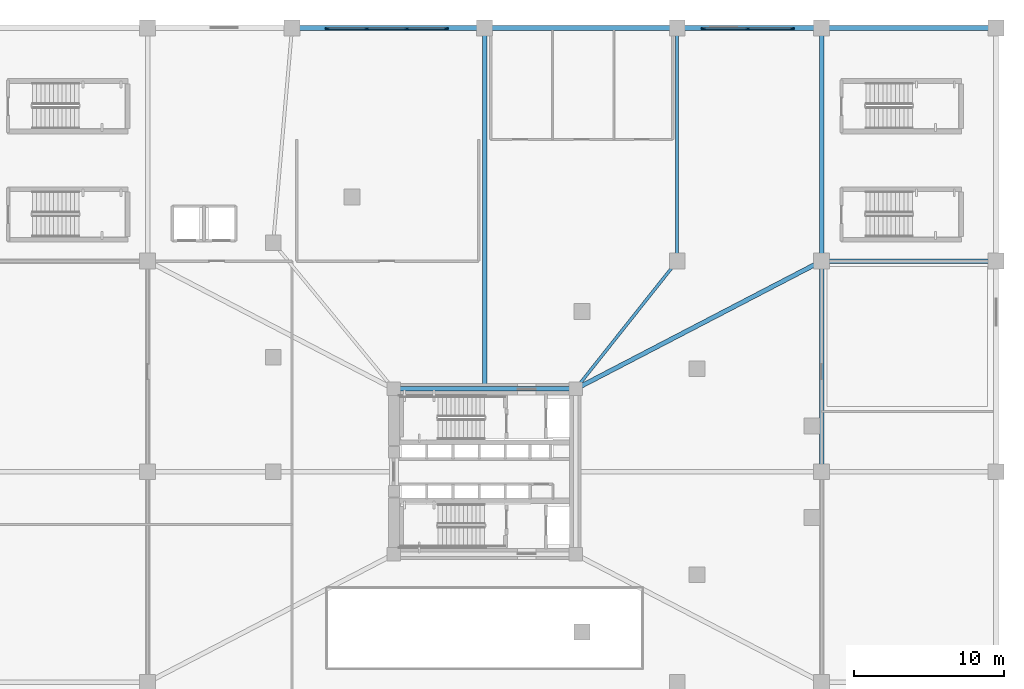
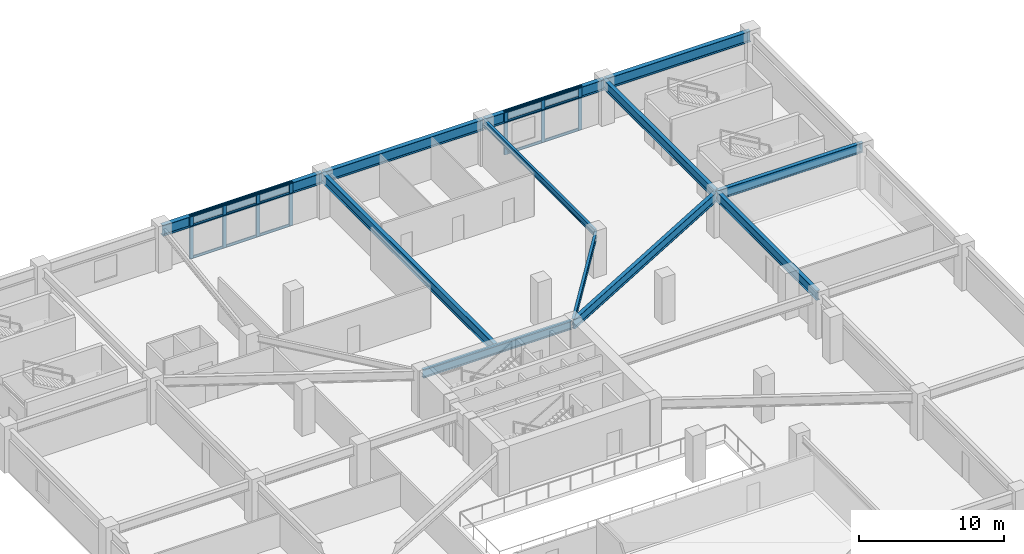
# One storey, part 2 of 15: 22 members, 12 beams, 2 elements without a shape of their own.
"""IFC4 building model written with IfcOpenShell, lengths in metres."""

from ifc_helpers import new_model, si_unit, direction, frame, origin, origin_2d, place, context, subcontext, project, spatial, rectangle, i_section, extrude, source, transform, mapped, material, layer, layer_set, material_profile, profile_set, type_object, element, aggregate, save


model = new_model("IFC4")

# Units and contexts
model_context = context("Model", 3, precision=1e-05, world=origin(), true_north=direction((0.0, 1.0)))
body_context = subcontext(model_context, "Body", "Model", "MODEL_VIEW")
ifc_project = project(units=[si_unit("LENGTHUNIT", "METRE"), si_unit("AREAUNIT", "SQUARE_METRE"), si_unit("VOLUMEUNIT", "CUBIC_METRE"), si_unit("PLANEANGLEUNIT", "RADIAN"), si_unit("MASSUNIT", "GRAM", prefix="KILO")], contexts=[model_context])

# Site, building, storey
site_placement = place(None, origin())
site = spatial("IfcSite", under=ifc_project, at=site_placement, CompositionType="ELEMENT")
building_placement = place(site_placement, origin())
building = spatial("IfcBuilding", under=site, at=building_placement, Name="Yunling Apex Tower", CompositionType="ELEMENT")
storey_placement = place(building_placement, frame((0.0, 0.0, 12.300048828125)))
storey = spatial("IfcBuildingStorey", under=building, at=storey_placement, Name="L04", CompositionType="ELEMENT", Elevation=12.300048828125)

# Beams
ifc_material_1 = material(Name="Steel Q355B", Category="steel")
ifc_material_profile_1 = material_profile(ifc_material_1, i_section(OverallWidth=0.300048828125, OverallDepth=0.699951171875, WebThickness=0.012939453125, FlangeThickness=0.02392578125, FilletRadius=0.02587890625, at=origin_2d()))
ifc_profile_set_1 = profile_set([ifc_material_profile_1], Name="Steel Q355B")
beam_type_1 = type_object("IfcBeamType", Name="BG-PRI-3", PredefinedType="USERDEFINED", material=ifc_profile_set_1)
shared_shape_1 = source(origin(), body_context, "Body", "SweptSolid", [
    extrude(i_section(OverallWidth=0.300048828125, OverallDepth=0.699951171875, WebThickness=0.012939453125, FlangeThickness=0.02392578125, FilletRadius=0.02587890625, at=origin_2d()), origin(), (0.0, 0.0, 1.0), 11.7998046875),
])
beam_1_placement = place(storey_placement, frame((5.89990234375, 5.5, 3.239990234375), z_axis=(-1.0, 0.0, 0.0), x_axis=(0.0, -1.0, 0.0)))
element("IfcBeam", 1, at=beam_1_placement, inside=storey, type_object=beam_type_1, Name="L04 Core Ring Tie Beam 3", ObjectType="GIRDER", PredefinedType="USERDEFINED", context=body_context, shape_type="MappedRepresentation", body=[
    mapped(shared_shape_1, transform((0.0, 0.0, 0.0), scale=1.0)),
])
ifc_material_profile_2 = material_profile(ifc_material_1, i_section(OverallWidth=0.35009765625, OverallDepth=0.89990234375, WebThickness=0.01806640625, FlangeThickness=0.028076171875, FilletRadius=0.02392578125, at=origin_2d()))
ifc_profile_set_2 = profile_set([ifc_material_profile_2], Name="Steel Q355B")
beam_type_2 = type_object("IfcBeamType", Name="BG-PRI-1", PredefinedType="USERDEFINED", material=ifc_profile_set_2)
shared_shape_2 = source(origin(), body_context, "Body", "SweptSolid", [
    extrude(i_section(OverallWidth=0.35009765625, OverallDepth=0.89990234375, WebThickness=0.01806640625, FlangeThickness=0.028076171875, FilletRadius=0.02392578125, at=origin_2d()), origin(), (0.0, 0.0, 1.0), 11.52001953125),
])
beam_2_placement = place(storey_placement, frame((22.43994140625, 29.5, 3.139892578125), z_axis=(1.0, 0.0, 0.0), x_axis=(0.0, 1.0, 0.0)))
element("IfcBeam", 2, at=beam_2_placement, inside=storey, type_object=beam_type_2, Name="L04 Podium Edge Girder 12", ObjectType="GIRDER", PredefinedType="USERDEFINED", context=body_context, shape_type="MappedRepresentation", body=[
    mapped(shared_shape_2, transform((0.0, 0.0, 0.0), scale=1.0)),
])
shared_shape_3 = source(origin(), body_context, "Body", "SweptSolid", [
    extrude(i_section(OverallWidth=0.35009765625, OverallDepth=0.89990234375, WebThickness=0.01806640625, FlangeThickness=0.028076171875, FilletRadius=0.02392578125, at=origin_2d()), origin(), (0.0, 0.0, 1.0), 9.52001953125),
])
beam_3_placement = place(storey_placement, frame((12.840087890625, 29.5, 3.139892578125), z_axis=(1.0, 0.0, 0.0), x_axis=(0.0, 1.0, 0.0)))
element("IfcBeam", 3, at=beam_3_placement, inside=storey, type_object=beam_type_2, Name="L04 Podium Edge Girder 11", ObjectType="GIRDER", PredefinedType="USERDEFINED", context=body_context, shape_type="MappedRepresentation", body=[
    mapped(shared_shape_3, transform((0.0, 0.0, 0.0), scale=1.0)),
])
shared_shape_4 = source(origin(), body_context, "Body", "SweptSolid", [
    extrude(i_section(OverallWidth=0.35009765625, OverallDepth=0.89990234375, WebThickness=0.01806640625, FlangeThickness=0.028076171875, FilletRadius=0.02392578125, at=origin_2d()), origin(), (0.0, 0.0, 1.0), 12.719970703125),
])
for number, where, z_axis, x_axis, name in (
    (4, (-12.760009765625, 29.5, 3.139892578125), (1.0, 0.0, 0.0), (0.0, 1.0, 0.0), "L04 Podium Edge Girder 9"),
    (5, (0.0400390625, 29.5, 3.139892578125), (1.0, 0.0, 0.0), (0.0, 1.0, 0.0), "L04 Podium Edge Girder 10"),
):
    element("IfcBeam", number, at=place(storey_placement, frame(where, z_axis=z_axis, x_axis=x_axis)), inside=storey, type_object=beam_type_2, Name=name, ObjectType="GIRDER", PredefinedType="USERDEFINED", context=body_context, shape_type="MappedRepresentation", body=[
        mapped(shared_shape_4, transform((0.0, 0.0, 0.0), scale=1.0)),
    ])
ifc_material_profile_3 = material_profile(ifc_material_1, i_section(OverallWidth=0.300048828125, OverallDepth=0.800048828125, WebThickness=0.013916015625, FlangeThickness=0.02587890625, FilletRadius=0.028076171875, at=origin_2d()))
ifc_profile_set_3 = profile_set([ifc_material_profile_3], Name="Steel Q355B")
beam_type_3 = type_object("IfcBeamType", Name="BG-PRI-2", PredefinedType="USERDEFINED", material=ifc_profile_set_3)
shared_shape_5 = source(origin(), body_context, "Body", "SweptSolid", [
    extrude(i_section(OverallWidth=0.300048828125, OverallDepth=0.800048828125, WebThickness=0.013916015625, FlangeThickness=0.02587890625, FilletRadius=0.028076171875, at=origin_2d()), origin(), (0.0, 0.0, 1.0), 11.52001953125),
])
beam_4_placement = place(storey_placement, frame((22.43994140625, 14.0, 3.18994140625), z_axis=(1.0, 0.0, 0.0), x_axis=(0.0, 1.0, 0.0)))
element("IfcBeam", 6, at=beam_4_placement, inside=storey, type_object=beam_type_3, Name="L04 Podium Primary Girder 4", ObjectType="GIRDER", PredefinedType="USERDEFINED", context=body_context, shape_type="MappedRepresentation", body=[
    mapped(shared_shape_5, transform((0.0, 0.0, 0.0), scale=1.0)),
])
shared_shape_6 = source(origin(), body_context, "Body", "SweptSolid", [
    extrude(i_section(OverallWidth=0.300048828125, OverallDepth=0.800048828125, WebThickness=0.013916015625, FlangeThickness=0.02587890625, FilletRadius=0.028076171875, at=origin_2d()), origin(), (0.0, 0.0, 1.0), 18.347412109375),
])
beam_5_placement = place(storey_placement, frame((6.08544921875, 5.5185546875, 3.18994140625), z_axis=(0.887266251523, 0.461257627481, 0.0), x_axis=(-0.461257627481, 0.887266251523, 0.0)))
element("IfcBeam", 7, at=beam_5_placement, inside=storey, type_object=beam_type_3, Name="L04 Podium Primary Girder 3", ObjectType="GIRDER", PredefinedType="USERDEFINED", context=body_context, shape_type="MappedRepresentation", body=[
    mapped(shared_shape_6, transform((0.0, 0.0, 0.0), scale=1.0)),
])
shared_shape_7 = source(origin(), body_context, "Body", "SweptSolid", [
    extrude(i_section(OverallWidth=0.300048828125, OverallDepth=0.800048828125, WebThickness=0.013916015625, FlangeThickness=0.02587890625, FilletRadius=0.028076171875, at=origin_2d()), origin(), (0.0, 0.0, 1.0), 15.419921875),
])
beam_6_placement = place(storey_placement, frame((22.39990234375, 29.4599609375, 3.18994140625), z_axis=(0.0, -1.0, 0.0), x_axis=(1.0, 0.0, 0.0)))
element("IfcBeam", 8, at=beam_6_placement, inside=storey, type_object=beam_type_3, Name="L04 Podium Primary Girder 17", ObjectType="GIRDER", PredefinedType="USERDEFINED", context=body_context, shape_type="MappedRepresentation", body=[
    mapped(shared_shape_7, transform((0.0, 0.0, 0.0), scale=1.0)),
])
shared_shape_8 = source(origin(), body_context, "Body", "SweptSolid", [
    extrude(i_section(OverallWidth=0.300048828125, OverallDepth=0.800048828125, WebThickness=0.013916015625, FlangeThickness=0.02587890625, FilletRadius=0.028076171875, at=origin_2d()), origin(), (0.0, 0.0, 1.0), 13.919921875),
])
beam_7_placement = place(storey_placement, frame((22.39990234375, 13.9599609375, 3.18994140625), z_axis=(0.0, -1.0, 0.0), x_axis=(1.0, 0.0, 0.0)))
element("IfcBeam", 9, at=beam_7_placement, inside=storey, type_object=beam_type_3, Name="L04 Podium Primary Girder 18", ObjectType="GIRDER", PredefinedType="USERDEFINED", context=body_context, shape_type="MappedRepresentation", body=[
    mapped(shared_shape_8, transform((0.0, 0.0, 0.0), scale=1.0)),
])
shared_shape_9 = source(origin(), body_context, "Body", "SweptSolid", [
    extrude(i_section(OverallWidth=0.300048828125, OverallDepth=0.800048828125, WebThickness=0.013916015625, FlangeThickness=0.02587890625, FilletRadius=0.028076171875, at=origin_2d()), origin(), (0.0, 0.0, 1.0), 23.869873046875),
])
beam_8_placement = place(storey_placement, frame((0.0, 29.4599609375, 3.18994140625), z_axis=(0.0, -1.0, 0.0), x_axis=(1.0, 0.0, 0.0)))
element("IfcBeam", 10, at=beam_8_placement, inside=storey, type_object=beam_type_3, Name="L04 Podium Primary Girder 21", ObjectType="GIRDER", PredefinedType="USERDEFINED", context=body_context, shape_type="MappedRepresentation", body=[
    mapped(shared_shape_9, transform((0.0, 0.0, 0.0), scale=1.0)),
])
ifc_material_profile_4 = material_profile(ifc_material_1, i_section(OverallWidth=0.199951171875, OverallDepth=0.550048828125, WebThickness=0.010009765625, FlangeThickness=0.01611328125, FilletRadius=0.02001953125, at=origin_2d()))
ifc_profile_set_4 = profile_set([ifc_material_profile_4], Name="Steel Q355B")
beam_type_4 = type_object("IfcBeamType", Name="BS-SEC-1", PredefinedType="BEAM", material=ifc_profile_set_4)
shared_shape_10 = source(origin(), body_context, "Body", "SweptSolid", [
    extrude(i_section(OverallWidth=0.199951171875, OverallDepth=0.550048828125, WebThickness=0.010009765625, FlangeThickness=0.01611328125, FilletRadius=0.02001953125, at=origin_2d()), origin(), (0.0, 0.0, 1.0), 15.419921875),
])
beam_9_placement = place(storey_placement, frame((12.800048828125, 29.4599609375, 3.31494140625), z_axis=(0.0, -1.0, 0.0), x_axis=(1.0, 0.0, 0.0)))
element("IfcBeam", 11, at=beam_9_placement, inside=storey, type_object=beam_type_4, Name="L04 Podium Secondary Beam 3", PredefinedType="BEAM", context=body_context, shape_type="MappedRepresentation", body=[
    mapped(shared_shape_10, transform((0.0, 0.0, 0.0), scale=1.0)),
])
shared_shape_11 = source(origin(), body_context, "Body", "SweptSolid", [
    extrude(i_section(OverallWidth=0.199951171875, OverallDepth=0.550048828125, WebThickness=0.010009765625, FlangeThickness=0.01611328125, FilletRadius=0.02001953125, at=origin_2d()), origin(), (0.0, 0.0, 1.0), 10.774169921875),
])
beam_10_placement = place(storey_placement, frame((12.775146484375, 13.96875, 3.31494140625), z_axis=(-0.621872334374, -0.783118637078, 0.0), x_axis=(0.783118637078, -0.621872334374, 0.0)))
element("IfcBeam", 12, at=beam_10_placement, inside=storey, type_object=beam_type_4, Name="L04 Podium Secondary Beam 4", PredefinedType="BEAM", context=body_context, shape_type="MappedRepresentation", body=[
    mapped(shared_shape_11, transform((0.0, 0.0, 0.0), scale=1.0)),
])

# Curtain wall, members
ifc_material_2 = material(Name="Bronze anodised aluminium", Category="aluminium")
ifc_layer = layer(ifc_material_2, 0.280029296875)
ifc_layer_set = layer_set([ifc_layer], Name="Bronze anodised aluminium")
curtain_wall_type = type_object("IfcCurtainWallType", Name="CW-SYS-1", PredefinedType="NOTDEFINED", material=ifc_layer_set)
curtain_wall_1_placement = place(storey_placement, origin())
curtain_wall_1 = element("IfcCurtainWall", 13, at=curtain_wall_1_placement, inside=storey, type_object=curtain_wall_type, Name="CW-POD-L04-1", PredefinedType="NOTDEFINED")
ifc_material_profile_5 = material_profile(ifc_material_2, rectangle(XDim=0.090087890625, YDim=0.215087890625, at=origin_2d()))
ifc_profile_set_5 = profile_set([ifc_material_profile_5], Name="Bronze anodised aluminium")
member_type_1 = type_object("IfcMemberType", Name="CW-TRN-1", PredefinedType="USERDEFINED", material=ifc_profile_set_5)
shared_shape_12 = source(origin(), body_context, "Body", "SweptSolid", [
    extrude(rectangle(XDim=0.090087890625, YDim=0.215087890625, at=origin_2d()), origin(), (0.0, 0.0, 1.0), 2.540771484375),
])
member_1_placement = place(storey_placement, frame((-10.41455078125, 29.449951171875, 0.044921875), z_axis=(1.0, 0.0, 0.0), x_axis=(0.0, 1.0, 0.0)))
member_1 = element("IfcMember", 14, at=member_1_placement, type_object=member_type_1, Name="CW-SYS-1 transom 1.1", ObjectType="TRANSOM", PredefinedType="USERDEFINED", context=body_context, shape_type="MappedRepresentation", body=[
    mapped(shared_shape_12, transform((0.0, 0.0, 0.0), scale=1.0)),
])
member_2_placement = place(storey_placement, frame((-10.41455078125, 29.449951171875, 2.739990234375), z_axis=(1.0, 0.0, 0.0), x_axis=(0.0, 1.0, 0.0)))
member_2 = element("IfcMember", 15, at=member_2_placement, type_object=member_type_1, Name="CW-SYS-1 transom 1.2", ObjectType="TRANSOM", PredefinedType="USERDEFINED", context=body_context, shape_type="MappedRepresentation", body=[
    mapped(shared_shape_12, transform((0.0, 0.0, 0.0), scale=1.0)),
])
member_3_placement = place(storey_placement, frame((-10.41455078125, 29.449951171875, 3.544921875), z_axis=(1.0, 0.0, 0.0), x_axis=(0.0, 1.0, 0.0)))
member_3 = element("IfcMember", 16, at=member_3_placement, type_object=member_type_1, Name="CW-SYS-1 transom 1.3", ObjectType="TRANSOM", PredefinedType="USERDEFINED", context=body_context, shape_type="MappedRepresentation", body=[
    mapped(shared_shape_12, transform((0.0, 0.0, 0.0), scale=1.0)),
])
member_4_placement = place(storey_placement, frame((-5.126220703125, 29.449951171875, 0.044921875), z_axis=(1.0, 0.0, 0.0), x_axis=(0.0, 1.0, 0.0)))
member_4 = element("IfcMember", 17, at=member_4_placement, type_object=member_type_1, Name="CW-SYS-1 transom 3.1", ObjectType="TRANSOM", PredefinedType="USERDEFINED", context=body_context, shape_type="MappedRepresentation", body=[
    mapped(shared_shape_12, transform((0.0, 0.0, 0.0), scale=1.0)),
])
member_5_placement = place(storey_placement, frame((-5.126220703125, 29.449951171875, 2.739990234375), z_axis=(1.0, 0.0, 0.0), x_axis=(0.0, 1.0, 0.0)))
member_5 = element("IfcMember", 18, at=member_5_placement, type_object=member_type_1, Name="CW-SYS-1 transom 3.2", ObjectType="TRANSOM", PredefinedType="USERDEFINED", context=body_context, shape_type="MappedRepresentation", body=[
    mapped(shared_shape_12, transform((0.0, 0.0, 0.0), scale=1.0)),
])
member_6_placement = place(storey_placement, frame((-5.126220703125, 29.449951171875, 3.544921875), z_axis=(1.0, 0.0, 0.0), x_axis=(0.0, 1.0, 0.0)))
member_6 = element("IfcMember", 19, at=member_6_placement, type_object=member_type_1, Name="CW-SYS-1 transom 3.3", ObjectType="TRANSOM", PredefinedType="USERDEFINED", context=body_context, shape_type="MappedRepresentation", body=[
    mapped(shared_shape_12, transform((0.0, 0.0, 0.0), scale=1.0)),
])
shared_shape_13 = source(origin(), body_context, "Body", "SweptSolid", [
    extrude(rectangle(XDim=0.090087890625, YDim=0.215087890625, at=origin_2d()), origin(), (0.0, 0.0, 1.0), 2.58544921875),
])
member_7_placement = place(storey_placement, frame((-7.792724609375, 29.449951171875, 0.044921875), z_axis=(1.0, 0.0, 0.0), x_axis=(0.0, 1.0, 0.0)))
member_7 = element("IfcMember", 20, at=member_7_placement, type_object=member_type_1, Name="CW-SYS-1 transom 2.1", ObjectType="TRANSOM", PredefinedType="USERDEFINED", context=body_context, shape_type="MappedRepresentation", body=[
    mapped(shared_shape_13, transform((0.0, 0.0, 0.0), scale=1.0)),
])
member_8_placement = place(storey_placement, frame((-7.792724609375, 29.449951171875, 2.739990234375), z_axis=(1.0, 0.0, 0.0), x_axis=(0.0, 1.0, 0.0)))
member_8 = element("IfcMember", 21, at=member_8_placement, type_object=member_type_1, Name="CW-SYS-1 transom 2.2", ObjectType="TRANSOM", PredefinedType="USERDEFINED", context=body_context, shape_type="MappedRepresentation", body=[
    mapped(shared_shape_13, transform((0.0, 0.0, 0.0), scale=1.0)),
])
member_9_placement = place(storey_placement, frame((-7.792724609375, 29.449951171875, 3.544921875), z_axis=(1.0, 0.0, 0.0), x_axis=(0.0, 1.0, 0.0)))
member_9 = element("IfcMember", 22, at=member_9_placement, type_object=member_type_1, Name="CW-SYS-1 transom 2.3", ObjectType="TRANSOM", PredefinedType="USERDEFINED", context=body_context, shape_type="MappedRepresentation", body=[
    mapped(shared_shape_13, transform((0.0, 0.0, 0.0), scale=1.0)),
])

curtain_wall_2_placement = place(storey_placement, origin())
curtain_wall_2 = element("IfcCurtainWall", 23, at=curtain_wall_2_placement, inside=storey, type_object=curtain_wall_type, Name="CW-POD-L04-2", PredefinedType="NOTDEFINED")
shared_shape_14 = source(origin(), body_context, "Body", "SweptSolid", [
    extrude(rectangle(XDim=0.090087890625, YDim=0.215087890625, at=origin_2d()), origin(), (0.0, 0.0, 1.0), 2.8740234375),
])
member_10_placement = place(storey_placement, frame((14.58544921875, 29.449951171875, 0.044921875), z_axis=(1.0, 0.0, 0.0), x_axis=(0.0, 1.0, 0.0)))
member_10 = element("IfcMember", 24, at=member_10_placement, type_object=member_type_1, Name="CW-SYS-1 transom 1.1", ObjectType="TRANSOM", PredefinedType="USERDEFINED", context=body_context, shape_type="MappedRepresentation", body=[
    mapped(shared_shape_14, transform((0.0, 0.0, 0.0), scale=1.0)),
])
member_11_placement = place(storey_placement, frame((14.58544921875, 29.449951171875, 2.739990234375), z_axis=(1.0, 0.0, 0.0), x_axis=(0.0, 1.0, 0.0)))
member_11 = element("IfcMember", 25, at=member_11_placement, type_object=member_type_1, Name="CW-SYS-1 transom 1.2", ObjectType="TRANSOM", PredefinedType="USERDEFINED", context=body_context, shape_type="MappedRepresentation", body=[
    mapped(shared_shape_14, transform((0.0, 0.0, 0.0), scale=1.0)),
])
member_12_placement = place(storey_placement, frame((14.58544921875, 29.449951171875, 3.544921875), z_axis=(1.0, 0.0, 0.0), x_axis=(0.0, 1.0, 0.0)))
member_12 = element("IfcMember", 26, at=member_12_placement, type_object=member_type_1, Name="CW-SYS-1 transom 1.3", ObjectType="TRANSOM", PredefinedType="USERDEFINED", context=body_context, shape_type="MappedRepresentation", body=[
    mapped(shared_shape_14, transform((0.0, 0.0, 0.0), scale=1.0)),
])
member_13_placement = place(storey_placement, frame((17.54052734375, 29.449951171875, 0.044921875), z_axis=(1.0, 0.0, 0.0), x_axis=(0.0, 1.0, 0.0)))
member_13 = element("IfcMember", 27, at=member_13_placement, type_object=member_type_1, Name="CW-SYS-1 transom 2.1", ObjectType="TRANSOM", PredefinedType="USERDEFINED", context=body_context, shape_type="MappedRepresentation", body=[
    mapped(shared_shape_14, transform((0.0, 0.0, 0.0), scale=1.0)),
])
member_14_placement = place(storey_placement, frame((17.54052734375, 29.449951171875, 2.739990234375), z_axis=(1.0, 0.0, 0.0), x_axis=(0.0, 1.0, 0.0)))
member_14 = element("IfcMember", 28, at=member_14_placement, type_object=member_type_1, Name="CW-SYS-1 transom 2.2", ObjectType="TRANSOM", PredefinedType="USERDEFINED", context=body_context, shape_type="MappedRepresentation", body=[
    mapped(shared_shape_14, transform((0.0, 0.0, 0.0), scale=1.0)),
])
member_15_placement = place(storey_placement, frame((17.54052734375, 29.449951171875, 3.544921875), z_axis=(1.0, 0.0, 0.0), x_axis=(0.0, 1.0, 0.0)))
member_15 = element("IfcMember", 29, at=member_15_placement, type_object=member_type_1, Name="CW-SYS-1 transom 2.3", ObjectType="TRANSOM", PredefinedType="USERDEFINED", context=body_context, shape_type="MappedRepresentation", body=[
    mapped(shared_shape_14, transform((0.0, 0.0, 0.0), scale=1.0)),
])

# Member
ifc_material_profile_6 = material_profile(ifc_material_2, rectangle(XDim=0.090087890625, YDim=0.280029296875, at=origin_2d()))
ifc_profile_set_6 = profile_set([ifc_material_profile_6], Name="Bronze anodised aluminium")
member_type_2 = type_object("IfcMemberType", Name="CW-MUL-1", PredefinedType="MULLION", material=ifc_profile_set_6)
shared_shape_15 = source(origin(), body_context, "Body", "SweptSolid", [
    extrude(rectangle(XDim=0.090087890625, YDim=0.280029296875, at=origin_2d()), origin(), (0.0, 0.0, 1.0), 3.68994140625),
])
member_16_placement = place(storey_placement, frame((-10.455078125, 29.449951171875, -0.050048828125), z_axis=(0.0, 0.0, 1.0), x_axis=(0.0, 1.0, 0.0)))
member_16 = element("IfcMember", 30, at=member_16_placement, type_object=member_type_2, Name="CW-SYS-1 mullion 1", PredefinedType="MULLION", context=body_context, shape_type="MappedRepresentation", body=[
    mapped(shared_shape_15, transform((0.0, 0.0, 0.0), scale=1.0)),
])

member_17_placement = place(storey_placement, frame((-7.833251953125, 29.449951171875, -0.050048828125), z_axis=(0.0, 0.0, 1.0), x_axis=(0.0, 1.0, 0.0)))
member_17 = element("IfcMember", 31, at=member_17_placement, type_object=member_type_2, Name="CW-SYS-1 mullion 2", PredefinedType="MULLION", context=body_context, shape_type="MappedRepresentation", body=[
    mapped(shared_shape_15, transform((0.0, 0.0, 0.0), scale=1.0)),
])

member_18_placement = place(storey_placement, frame((-5.166748046875, 29.449951171875, -0.050048828125), z_axis=(0.0, 0.0, 1.0), x_axis=(0.0, 1.0, 0.0)))
member_18 = element("IfcMember", 32, at=member_18_placement, type_object=member_type_2, Name="CW-SYS-1 mullion 3", PredefinedType="MULLION", context=body_context, shape_type="MappedRepresentation", body=[
    mapped(shared_shape_15, transform((0.0, 0.0, 0.0), scale=1.0)),
])

member_19_placement = place(storey_placement, frame((-2.544921875, 29.449951171875, -0.050048828125), z_axis=(0.0, 0.0, 1.0), x_axis=(0.0, 1.0, 0.0)))
member_19 = element("IfcMember", 33, at=member_19_placement, type_object=member_type_2, Name="CW-SYS-1 mullion 4", PredefinedType="MULLION", context=body_context, shape_type="MappedRepresentation", body=[
    mapped(shared_shape_15, transform((0.0, 0.0, 0.0), scale=1.0)),
])

aggregate(curtain_wall_1, [member_16, member_17, member_18, member_19, member_1, member_2, member_3, member_7, member_8, member_9, member_4, member_5, member_6])

member_20_placement = place(storey_placement, frame((14.544921875, 29.449951171875, -0.050048828125), z_axis=(0.0, 0.0, 1.0), x_axis=(0.0, 1.0, 0.0)))
member_20 = element("IfcMember", 34, at=member_20_placement, type_object=member_type_2, Name="CW-SYS-1 mullion 1", PredefinedType="MULLION", context=body_context, shape_type="MappedRepresentation", body=[
    mapped(shared_shape_15, transform((0.0, 0.0, 0.0), scale=1.0)),
])

member_21_placement = place(storey_placement, frame((17.5, 29.449951171875, -0.050048828125), z_axis=(0.0, 0.0, 1.0), x_axis=(0.0, 1.0, 0.0)))
member_21 = element("IfcMember", 35, at=member_21_placement, type_object=member_type_2, Name="CW-SYS-1 mullion 2", PredefinedType="MULLION", context=body_context, shape_type="MappedRepresentation", body=[
    mapped(shared_shape_15, transform((0.0, 0.0, 0.0), scale=1.0)),
])

member_22_placement = place(storey_placement, frame((20.455078125, 29.449951171875, -0.050048828125), z_axis=(0.0, 0.0, 1.0), x_axis=(0.0, 1.0, 0.0)))
member_22 = element("IfcMember", 36, at=member_22_placement, type_object=member_type_2, Name="CW-SYS-1 mullion 3", PredefinedType="MULLION", context=body_context, shape_type="MappedRepresentation", body=[
    mapped(shared_shape_15, transform((0.0, 0.0, 0.0), scale=1.0)),
])

aggregate(curtain_wall_2, [member_20, member_21, member_22, member_10, member_11, member_12, member_13, member_14, member_15])

save(model, "model.ifc")
